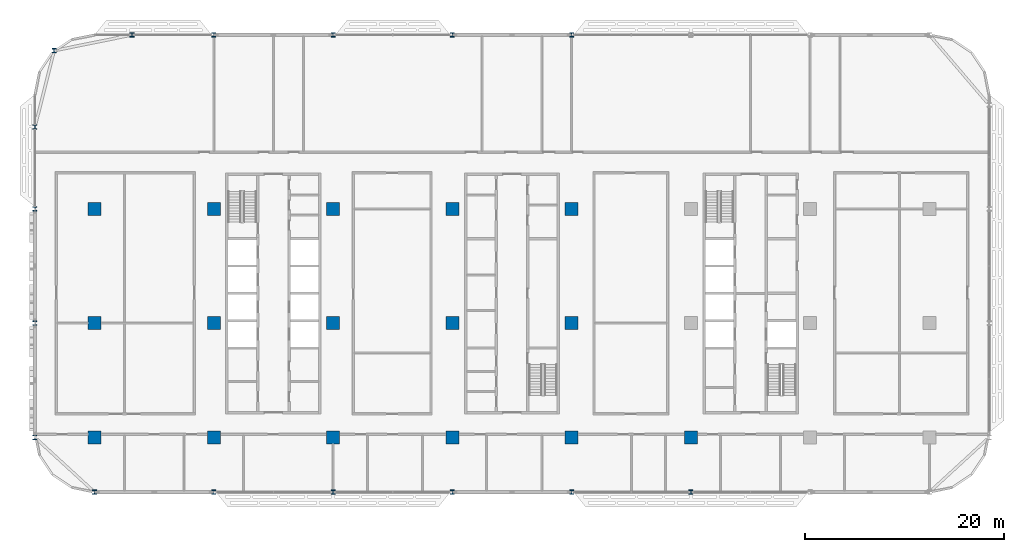
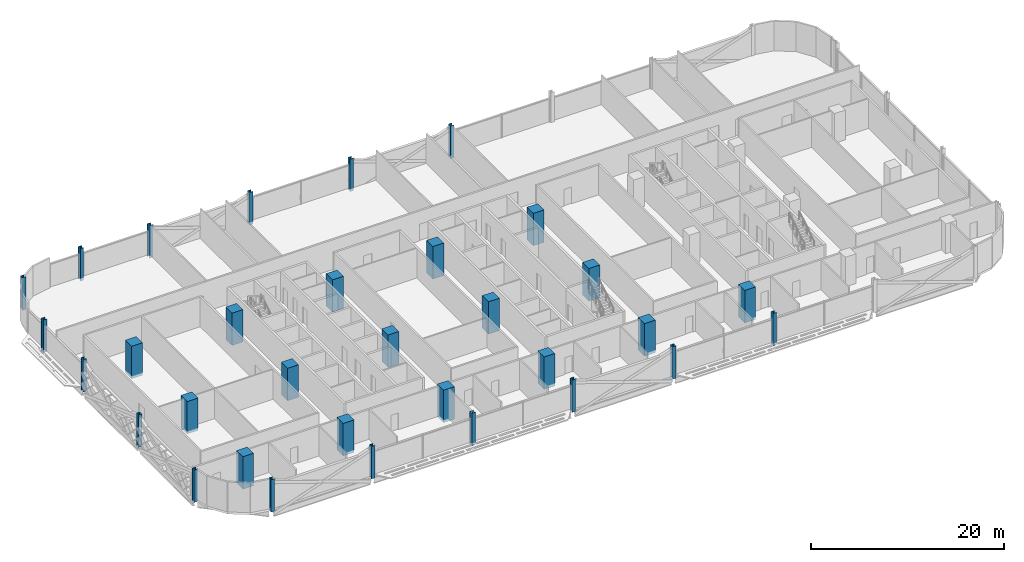
# One storey, part 1 of 29: 32 columns.
"""IFC4 building model written with IfcOpenShell, lengths in metres."""

from ifc_helpers import new_model, si_unit, direction, frame, origin, origin_2d, place, context, subcontext, project, spatial, rectangle, i_section, extrude, material, material_profile, profile_set, type_object, element, save


model = new_model("IFC4")

# Units and contexts
model_context = context("Model", 3, precision=1e-05, world=origin(), true_north=direction((0.0, 1.0)))
body_context = subcontext(model_context, "Body", "Model", "MODEL_VIEW")
ifc_project = project(units=[si_unit("LENGTHUNIT", "METRE"), si_unit("AREAUNIT", "SQUARE_METRE"), si_unit("VOLUMEUNIT", "CUBIC_METRE"), si_unit("PLANEANGLEUNIT", "RADIAN"), si_unit("MASSUNIT", "GRAM", prefix="KILO")], contexts=[model_context])

# Site, building, storey
site_placement = place(None, origin())
site = spatial("IfcSite", under=ifc_project, at=site_placement, CompositionType="ELEMENT")
building_placement = place(site_placement, origin())
building = spatial("IfcBuilding", under=site, at=building_placement, Name="Mahtab Terrace Research Tower", CompositionType="ELEMENT")
storey_placement = place(building_placement, frame((0.0, 0.0, 146.60009765625)))
storey = spatial("IfcBuildingStorey", under=building, at=storey_placement, Name="L34", CompositionType="ELEMENT", Elevation=146.60009765625)

# Columns
ifc_material_1 = material(Name="Concrete C70/85", Category="concrete")
ifc_material_profile_1 = material_profile(ifc_material_1, rectangle(XDim=1.300048828125, YDim=1.300048828125, at=origin_2d()), Name="RC column 1300x1300")
ifc_profile_set_1 = profile_set([ifc_material_profile_1], Name="Concrete C70/85")
column_type_1 = type_object("IfcColumnType", Name="RC column 1300x1300", PredefinedType="COLUMN", material=ifc_profile_set_1)
for number, where, z_axis, x_axis, name in (
    (1, (-42.0, -11.5, -0.340087890625), (0.0, 0.0, 1.0), (1.0, 0.0, 0.0), "Column RC-1A L34"),
    (2, (-42.0, 0.0, -0.340087890625), (0.0, 0.0, 1.0), (1.0, 0.0, 0.0), "Column RC-1B L34"),
    (3, (-42.0, 11.5, -0.340087890625), (0.0, 0.0, 1.0), (1.0, 0.0, 0.0), "Column RC-1C L34"),
    (4, (-30.0, -11.5, -0.340087890625), (0.0, 0.0, 1.0), (1.0, 0.0, 0.0), "Column RC-2A L34"),
    (5, (-30.0, 0.0, -0.340087890625), (0.0, 0.0, 1.0), (1.0, 0.0, 0.0), "Column RC-2B L34"),
    (6, (-30.0, 11.5, -0.340087890625), (0.0, 0.0, 1.0), (1.0, 0.0, 0.0), "Column RC-2C L34"),
    (7, (-18.0, -11.5, -0.340087890625), (0.0, 0.0, 1.0), (1.0, 0.0, 0.0), "Column RC-3A L34"),
    (8, (-18.0, 0.0, -0.340087890625), (0.0, 0.0, 1.0), (1.0, 0.0, 0.0), "Column RC-3B L34"),
    (9, (-18.0, 11.5, -0.340087890625), (0.0, 0.0, 1.0), (1.0, 0.0, 0.0), "Column RC-3C L34"),
    (10, (-6.0, -11.5, -0.340087890625), (0.0, 0.0, 1.0), (1.0, 0.0, 0.0), "Column RC-4A L34"),
    (11, (-6.0, 0.0, -0.340087890625), (0.0, 0.0, 1.0), (1.0, 0.0, 0.0), "Column RC-4B L34"),
    (12, (-6.0, 11.5, -0.340087890625), (0.0, 0.0, 1.0), (1.0, 0.0, 0.0), "Column RC-4C L34"),
    (13, (6.0, -11.5, -0.340087890625), (0.0, 0.0, 1.0), (1.0, 0.0, 0.0), "Column RC-5A L34"),
    (14, (6.0, 0.0, -0.340087890625), (0.0, 0.0, 1.0), (1.0, 0.0, 0.0), "Column RC-5B L34"),
    (15, (6.0, 11.5, -0.340087890625), (0.0, 0.0, 1.0), (1.0, 0.0, 0.0), "Column RC-5C L34"),
    (16, (18.0, -11.5, -0.340087890625), (0.0, 0.0, 1.0), (1.0, 0.0, 0.0), "Column RC-6A L34"),
):
    element("IfcColumn", number, at=place(storey_placement, frame(where, z_axis=z_axis, x_axis=x_axis)), inside=storey, type_object=column_type_1, Name=name, PredefinedType="COLUMN", context=body_context, shape_type="SweptSolid", body=[
        extrude(rectangle(XDim=1.300048828125, YDim=1.300048828125, at=origin_2d()), origin(), (0.0, 0.0, 1.0), 4.10009765625),
    ])
ifc_material_2 = material(Name="Steel ASTM A992 Gr 50", Category="steel")
ifc_material_profile_2 = material_profile(ifc_material_2, i_section(OverallWidth=0.41162109375, OverallDepth=0.434326171875, WebThickness=0.035888671875, FlangeThickness=0.057373046875, at=origin_2d()), Name="W14X311")
ifc_profile_set_2 = profile_set([ifc_material_profile_2], Name="Steel ASTM A992 Gr 50")
column_type_2 = type_object("IfcColumnType", Name="W14x311 column CS14311", PredefinedType="COLUMN", material=ifc_profile_set_2)
for number, where, z_axis, x_axis, name in (
    (17, (6.0, 29.0, -0.340087890625), (0.0, 0.0, 1.0), (1.0, 0.0, 0.0), "Column SC-034 L34"),
    (18, (-6.0, 29.0, -0.340087890625), (0.0, 0.0, 1.0), (1.0, 0.0, 0.0), "Column SC-035 L34"),
    (19, (-18.0, 29.0, -0.340087890625), (0.0, 0.0, 1.0), (1.0, 0.0, 0.0), "Column SC-036 L34"),
    (20, (-30.0, 29.0, -0.340087890625), (0.0, 0.0, 1.0), (1.0, 0.0, 0.0), "Column SC-037 L34"),
    (21, (-38.23095703125, 29.0, -0.340087890625), (0.0, 0.0, 1.0), (1.0, 0.0, 0.0), "Column SC-046 L34"),
    (22, (-46.06201171875, 27.416015625, -0.340087890625), (0.0, 0.0, 1.0), (1.0, 0.0, 0.0), "Column SC-047 L34"),
    (23, (-48.0, 19.73095703125, -0.340087890625), (0.0, 0.0, 1.0), (1.0, 0.0, 0.0), "Column SC-048 L34"),
    (24, (-48.0, 11.5, -0.340087890625), (0.0, 0.0, 1.0), (1.0, 0.0, 0.0), "Column SC-009 L34"),
    (25, (-48.0, 0.0, -0.340087890625), (0.0, 0.0, 1.0), (1.0, 0.0, 0.0), "Column SC-010 L34"),
    (26, (-48.0, -11.5, -0.340087890625), (0.0, 0.0, 1.0), (1.0, 0.0, 0.0), "Column SC-011 L34"),
    (27, (-42.0, -17.0, -0.340087890625), (0.0, 0.0, 1.0), (1.0, 0.0, 0.0), "Column SC-049 L34"),
    (28, (-30.0, -17.0, -0.340087890625), (0.0, 0.0, 1.0), (1.0, 0.0, 0.0), "Column SC-039 L34"),
    (29, (-18.0, -17.0, -0.340087890625), (0.0, 0.0, 1.0), (1.0, 0.0, 0.0), "Column SC-040 L34"),
    (30, (-6.0, -17.0, -0.340087890625), (0.0, 0.0, 1.0), (1.0, 0.0, 0.0), "Column SC-041 L34"),
    (31, (6.0, -17.0, -0.340087890625), (0.0, 0.0, 1.0), (1.0, 0.0, 0.0), "Column SC-042 L34"),
    (32, (18.0, -17.0, -0.340087890625), (0.0, 0.0, 1.0), (1.0, 0.0, 0.0), "Column SC-043 L34"),
):
    element("IfcColumn", number, at=place(storey_placement, frame(where, z_axis=z_axis, x_axis=x_axis)), inside=storey, type_object=column_type_2, Name=name, PredefinedType="COLUMN", context=body_context, shape_type="SweptSolid", body=[
        extrude(i_section(OverallWidth=0.41162109375, OverallDepth=0.434326171875, WebThickness=0.035888671875, FlangeThickness=0.057373046875, at=origin_2d()), origin(), (0.0, 0.0, 1.0), 4.10009765625),
    ])

save(model, "model.ifc")
